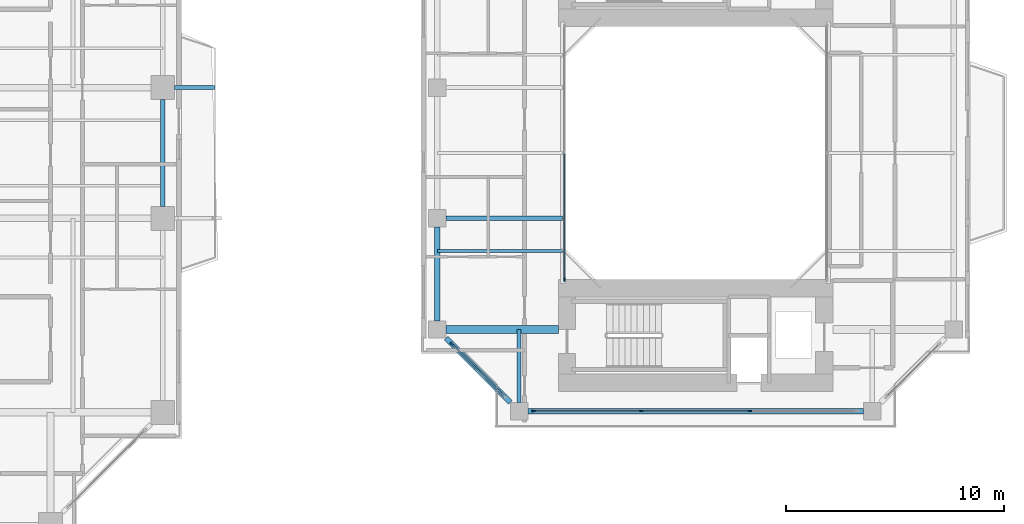
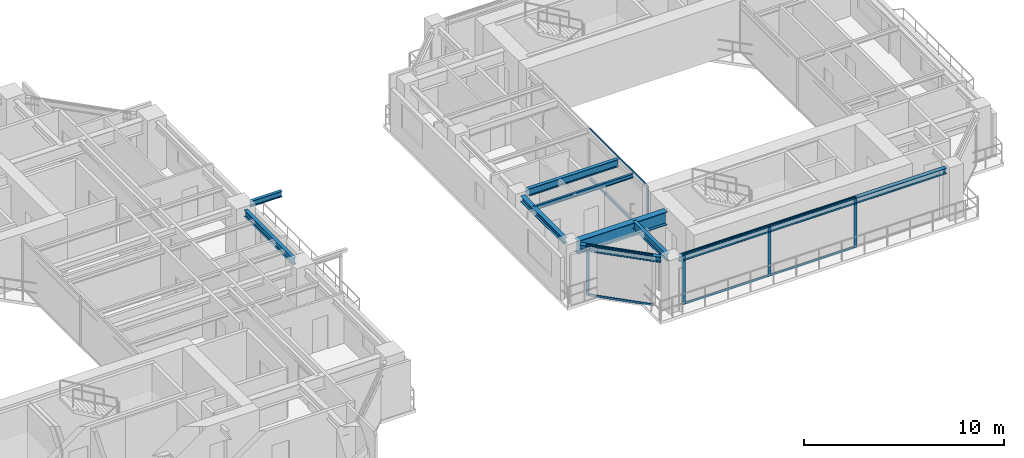
# One storey, part 8 of 24: 13 members, 9 beams, 3 elements without a shape of their own.
"""IFC4 building model written with IfcOpenShell, lengths in metres."""

import ifcopenshell
import ifcopenshell.guid

model = None  # the IFC model being written
_history = None  # IfcOwnerHistory: only IFC2X3 demands one
_inside = {}  # id of a spatial element -> (the spatial element, [elements in it])
_under = {}  # id of a project, library or spatial element -> (it, [spatial elements below it])
_declared = {}  # id of a project -> (the project, [libraries it declares])
_typed = {}  # id of a type object -> (the type object, [elements of that type])
_made_of = {}  # id of a material, layer set ... -> (it, [elements and type objects made of it])


def new_model(schema):
    """Start an empty IFC model of exactly this schema.

    Asked for "IFC4X3", IfcOpenShell would pick the latest addendum, in which some entities
    have other attributes; the version numbers below select the first issue.
    IFC2X3 requires an IfcOwnerHistory on every rooted entity: one is made here for all.
    """
    global model, _history
    if schema == "IFC4X3":
        model = ifcopenshell.file(schema_version=(4, 3, 0, 0))
    else:
        model = ifcopenshell.file(schema=schema)
    _inside.clear()
    _under.clear()
    _declared.clear()
    _typed.clear()
    _made_of.clear()
    _history = None
    if model.schema == "IFC2X3":
        org = make("IfcOrganization", Name="unknown")
        user = make(
            "IfcPersonAndOrganization",
            ThePerson=make("IfcPerson", FamilyName="unknown"),
            TheOrganization=org,
        )
        app = make(
            "IfcApplication",
            ApplicationDeveloper=org,
            Version="unknown",
            ApplicationFullName="unknown",
            ApplicationIdentifier="unknown",
        )
        _history = make(
            "IfcOwnerHistory",
            OwningUser=user,
            OwningApplication=app,
            ChangeAction="ADDED",
            CreationDate=0,
        )
    return model


def make(cls, **values):
    """One entity of the class cls with the attributes given. An attribute that is None is left unset."""
    return model.create_entity(
        cls, **{name: value for name, value in values.items() if value is not None}
    )


def rooted(cls, **values):
    """An entity with a GlobalId (a new one), such as an element, a storey or a relation."""
    return make(cls, GlobalId=ifcopenshell.guid.new(), OwnerHistory=_history, **values)


def si_unit(unit_type, name, prefix=None):
    """IfcSIUnit, for example si_unit("LENGTHUNIT", "METRE", prefix="MILLI")."""
    return make("IfcSIUnit", UnitType=unit_type, Prefix=prefix, Name=name)


def assignment(units):
    """IfcUnitAssignment: the units of a project."""
    return None if units is None else make("IfcUnitAssignment", Units=units)


def point(xyz):
    """IfcCartesianPoint."""
    return None if xyz is None else make("IfcCartesianPoint", Coordinates=xyz)


def direction(xyz):
    """IfcDirection."""
    return None if xyz is None else make("IfcDirection", DirectionRatios=xyz)


def frame(location, z_axis=None, x_axis=None):
    """IfcAxis2Placement3D, a coordinate frame: its origin and axes. An axis left out is left unset."""
    return make(
        "IfcAxis2Placement3D",
        Location=point(location),
        Axis=direction(z_axis),
        RefDirection=direction(x_axis),
    )


def frame_2d(location, x_axis=None):
    """IfcAxis2Placement2D, a coordinate frame in the plane: its origin and x axis."""
    return make(
        "IfcAxis2Placement2D", Location=point(location), RefDirection=direction(x_axis)
    )


def origin():
    """The frame at (0, 0, 0) with its axes left unset."""
    return frame((0.0, 0.0, 0.0))


def origin_2d():
    """The frame at (0, 0) in the plane with its x axis left unset."""
    return frame_2d((0.0, 0.0))


def place(relative_to, where):
    """IfcLocalPlacement: puts the frame where relative to a parent placement (None: the world)."""
    return make(
        "IfcLocalPlacement", PlacementRelTo=relative_to, RelativePlacement=where
    )


def context(
    kind, dimensions, precision=None, world=None, true_north=None, identifier=None
):
    """IfcGeometricRepresentationContext, for example the 3D "Model" context."""
    return make(
        "IfcGeometricRepresentationContext",
        ContextIdentifier=identifier,
        ContextType=kind,
        CoordinateSpaceDimension=dimensions,
        Precision=precision,
        WorldCoordinateSystem=world,
        TrueNorth=true_north,
    )


def subcontext(parent, identifier, kind, view, scale=None):
    """IfcGeometricRepresentationSubContext, for example "Body" below "Model"."""
    return make(
        "IfcGeometricRepresentationSubContext",
        ContextIdentifier=identifier,
        ContextType=kind,
        ParentContext=parent,
        TargetScale=scale,
        TargetView=view,
    )


def project(units=None, contexts=None):
    """IfcProject with its units and contexts."""
    return rooted(
        "IfcProject",
        Name="project",
        RepresentationContexts=contexts,
        UnitsInContext=assignment(units),
    )


def spatial(cls, under=None, at=None, **own):
    """A site, building, storey or space (cls), placed at a placement, below another one or the project."""
    s = rooted(cls, ObjectPlacement=at, **own)
    if under is not None:
        _under.setdefault(under.id(), (under, []))[1].append(s)
    return s


def profile(cls, at=None, kind="AREA", **sizes):
    """A parametric profile (cls). Its sizes go by their IFC names, for example OverallWidth=200.0."""
    return make(cls, ProfileType=kind, Position=at, **sizes)


def rectangle(**sizes):
    """IfcRectangleProfileDef."""
    return profile("IfcRectangleProfileDef", **sizes)


def i_section(**sizes):
    """IfcIShapeProfileDef."""
    return profile("IfcIShapeProfileDef", **sizes)


def extrude(swept, where, along, depth):
    """IfcExtrudedAreaSolid: the profile swept, set in the frame where, extruded along a direction by depth."""
    return make(
        "IfcExtrudedAreaSolid",
        SweptArea=swept,
        Position=where,
        ExtrudedDirection=direction(along),
        Depth=depth,
    )


def shape(context_of_items, identifier, shape_type, items):
    """IfcShapeRepresentation: the items that make up one representation, for example the "Body"."""
    return make(
        "IfcShapeRepresentation",
        ContextOfItems=context_of_items,
        RepresentationIdentifier=identifier,
        RepresentationType=shape_type,
        Items=items,
    )


def source(mapping_origin, context_of_items, identifier, shape_type, items):
    """IfcRepresentationMap: a shape defined once, which mapped items show again and again."""
    return make(
        "IfcRepresentationMap",
        MappingOrigin=mapping_origin,
        MappedRepresentation=shape(context_of_items, identifier, shape_type, items),
    )


def transform(
    local_origin,
    x_axis=None,
    y_axis=None,
    z_axis=None,
    scale=None,
    scale2=None,
    scale3=None,
    uniform=True,
):
    """IfcCartesianTransformationOperator3D, or its non-uniform kind. x_axis, y_axis, z_axis: its Axis1, 2, 3."""
    if uniform:
        return make(
            "IfcCartesianTransformationOperator3D",
            Axis1=direction(x_axis),
            Axis2=direction(y_axis),
            LocalOrigin=point(local_origin),
            Scale=scale,
            Axis3=direction(z_axis),
        )
    return make(
        "IfcCartesianTransformationOperator3DnonUniform",
        Axis1=direction(x_axis),
        Axis2=direction(y_axis),
        LocalOrigin=point(local_origin),
        Scale=scale,
        Axis3=direction(z_axis),
        Scale2=scale2,
        Scale3=scale3,
    )


def mapped(mapping_source, mapping_target):
    """IfcMappedItem: shows the shape of a source again, moved by a transform."""
    return make(
        "IfcMappedItem", MappingSource=mapping_source, MappingTarget=mapping_target
    )


def material(Name=None, Category=None):
    """IfcMaterial."""
    return make("IfcMaterial", Name=Name, Category=Category)


def layer(
    of_material, thickness, ventilated=None, Name=None, Category=None, Priority=None
):
    """IfcMaterialLayer: one layer of a wall or slab, of a material (None: an air gap)."""
    return make(
        "IfcMaterialLayer",
        Material=of_material,
        LayerThickness=thickness,
        IsVentilated=ventilated,
        Name=Name,
        Category=Category,
        Priority=Priority,
    )


def layer_set(layers, Name=None):
    """IfcMaterialLayerSet."""
    return make("IfcMaterialLayerSet", MaterialLayers=layers, LayerSetName=Name)


def material_profile(
    of_material, cross_section, Name=None, Category=None, Priority=None
):
    """IfcMaterialProfile: a cross section and its material."""
    return make(
        "IfcMaterialProfile",
        Name=Name,
        Material=of_material,
        Profile=cross_section,
        Priority=Priority,
        Category=Category,
    )


def profile_set(profiles, Name=None, composite=None):
    """IfcMaterialProfileSet."""
    return make(
        "IfcMaterialProfileSet",
        Name=Name,
        MaterialProfiles=profiles,
        CompositeProfile=composite,
    )


def made_of(thing, what):
    """Note that an element or type object is made of a material, layer set ...; save() writes the relation."""
    if what is not None:
        _made_of.setdefault(what.id(), (what, []))[1].append(thing)
    return thing


def type_object(cls, material=None, **own):
    """A type object (cls), such as IfcWallType, which elements share."""
    return made_of(rooted(cls, **own), material)


def element(
    cls,
    number,
    at=None,
    inside=None,
    cuts=None,
    type_object=None,
    material=None,
    context=None,
    identifier="Body",
    shape_type=None,
    held_by="IfcProductDefinitionShape",
    body=None,
    shapes=None,
    **own,
):
    """One element of the class cls, such as IfcWall. Its Tag is "e" and its number.

    at: its placement. inside: the storey or other place that contains it. cuts: it is an
    opening in that element (IfcRelVoidsElement). A single representation is given by context,
    identifier, shape_type and body (its items); several are given by shapes. held_by: the class
    of the entity that holds the representations. save() writes the other relations.
    """
    e = rooted(cls, Tag="e%d" % number, ObjectPlacement=at, **own)
    if body is not None:
        shapes = [shape(context, identifier, shape_type, body)]
    if shapes is not None:
        e.Representation = make(held_by, Representations=shapes)
    if inside is not None:
        _inside.setdefault(inside.id(), (inside, []))[1].append(e)
    if cuts is not None:
        rooted(
            "IfcRelVoidsElement", RelatingBuildingElement=cuts, RelatedOpeningElement=e
        )
    if type_object is not None:
        _typed.setdefault(type_object.id(), (type_object, []))[1].append(e)
    return made_of(e, material)


def aggregate(whole, parts):
    """IfcRelAggregates: a whole, such as a stair, and the parts it consists of."""
    return rooted("IfcRelAggregates", RelatingObject=whole, RelatedObjects=parts)


def save(model, path):
    """Write the relations noted so far, then the file.

    IfcRelAggregates (storeys below a building ...), IfcRelContainedInSpatialStructure (elements
    in a storey), IfcRelDefinesByType, IfcRelAssociatesMaterial and IfcRelDeclares: one each for
    every whole, place, type object, material and project.
    """
    for whole, parts in _under.values():
        aggregate(whole, parts)
    for where, things in _inside.values():
        rooted(
            "IfcRelContainedInSpatialStructure",
            RelatedElements=things,
            RelatingStructure=where,
        )
    for kind, things in _typed.values():
        rooted("IfcRelDefinesByType", RelatedObjects=things, RelatingType=kind)
    for what, things in _made_of.values():
        rooted("IfcRelAssociatesMaterial", RelatedObjects=things, RelatingMaterial=what)
    for by, libraries in _declared.values():
        rooted("IfcRelDeclares", RelatingContext=by, RelatedDefinitions=libraries)
    model.write(path)


model = new_model("IFC4")

# Units and contexts
model_context = context("Model", 3, precision=1e-05, world=origin(), true_north=direction((0.0, 1.0)))
body_context = subcontext(model_context, "Body", "Model", "MODEL_VIEW")
ifc_project = project(units=[si_unit("LENGTHUNIT", "METRE"), si_unit("AREAUNIT", "SQUARE_METRE"), si_unit("VOLUMEUNIT", "CUBIC_METRE"), si_unit("PLANEANGLEUNIT", "RADIAN"), si_unit("MASSUNIT", "GRAM", prefix="KILO"), si_unit("THERMODYNAMICTEMPERATUREUNIT", "KELVIN"), si_unit("POWERUNIT", "WATT")], contexts=[model_context])

# Site, building, storey
site_placement = place(None, origin())
site = spatial("IfcSite", under=ifc_project, at=site_placement, CompositionType="ELEMENT")
building_placement = place(site_placement, origin())
building = spatial("IfcBuilding", under=site, at=building_placement, Name="Qiaomeng Ring Towers", CompositionType="ELEMENT")
storey_placement = place(building_placement, frame((0.0, 0.0, 106.75)))
storey = spatial("IfcBuildingStorey", under=building, at=storey_placement, Name="L30", CompositionType="ELEMENT", Elevation=106.75)

# Beams
ifc_material_1 = material(Name="Steel Q355B", Category="steel")
ifc_material_profile_1 = material_profile(ifc_material_1, i_section(OverallWidth=0.25, OverallDepth=0.340087890625, WebThickness=0.009033203125, FlangeThickness=0.013916015625, FilletRadius=0.02001953125, at=origin_2d()), Name="HM 340x250x9x14")
ifc_profile_set_1 = profile_set([ifc_material_profile_1], Name="Steel Q355B")
beam_type_1 = type_object("IfcBeamType", Name="STR-BM-HM340", PredefinedType="SPANDREL", material=ifc_profile_set_1)
shared_shape_1 = source(origin(), body_context, "Body", "SweptSolid", [
    extrude(i_section(OverallWidth=0.25, OverallDepth=0.340087890625, WebThickness=0.009033203125, FlangeThickness=0.013916015625, FilletRadius=0.02001953125, at=origin_2d()), origin(), (0.0, 0.0, 1.0), 15.40185546875),
])
beam_1_placement = place(storey_placement, frame((52.799072265625, 11.14990234375, 2.89990234375), z_axis=(1.0, 0.0, 0.0), x_axis=(0.0, 1.0, 0.0)))
element("IfcBeam", 1, at=beam_1_placement, inside=storey, type_object=beam_type_1, Name="L30 beam STR-SP-L30-T2-S1-S2", PredefinedType="SPANDREL", context=body_context, shape_type="MappedRepresentation", body=[
    mapped(shared_shape_1, transform((0.0, 0.0, 0.0), x_axis=(1.0, 0.0, 0.0), y_axis=(0.0, 1.0, 0.0), z_axis=(0.0, 0.0, 1.0), scale=1.0)),
])
shared_shape_2 = source(origin(), body_context, "Body", "SweptSolid", [
    extrude(i_section(OverallWidth=0.25, OverallDepth=0.340087890625, WebThickness=0.009033203125, FlangeThickness=0.013916015625, FilletRadius=0.02001953125, at=origin_2d()), origin(), (0.0, 0.0, 1.0), 4.173828125),
])
beam_2_placement = place(storey_placement, frame((49.04931640625, 14.500732421875, 2.89990234375), z_axis=(0.707106781187, -0.707106781187, 0.0), x_axis=(0.707106781187, 0.707106781187, 0.0)))
element("IfcBeam", 2, at=beam_2_placement, inside=storey, type_object=beam_type_1, Name="L30 beam STR-SP-L30-T2-W1-S1", PredefinedType="SPANDREL", context=body_context, shape_type="MappedRepresentation", body=[
    mapped(shared_shape_2, transform((0.0, 0.0, 0.0), x_axis=(1.0, 0.0, 0.0), y_axis=(0.0, 1.0, 0.0), z_axis=(0.0, 0.0, 1.0), scale=1.0)),
])
shared_shape_3 = source(origin(), body_context, "Body", "SweptSolid", [
    extrude(i_section(OverallWidth=0.25, OverallDepth=0.340087890625, WebThickness=0.009033203125, FlangeThickness=0.013916015625, FilletRadius=0.02001953125, at=origin_2d()), origin(), (0.0, 0.0, 1.0), 4.302001953125),
])
beam_3_placement = place(storey_placement, frame((48.64990234375, 19.60107421875, 2.89990234375), z_axis=(0.0, -1.0, 0.0), x_axis=(1.0, 0.0, 0.0)))
element("IfcBeam", 3, at=beam_3_placement, inside=storey, type_object=beam_type_1, Name="L30 beam STR-SP-L30-T2-W2-W1", PredefinedType="SPANDREL", context=body_context, shape_type="MappedRepresentation", body=[
    mapped(shared_shape_3, transform((0.0, 0.0, 0.0), x_axis=(1.0, 0.0, 0.0), y_axis=(0.0, 1.0, 0.0), z_axis=(0.0, 0.0, 1.0), scale=1.0)),
])
ifc_material_2 = material(Name="Steel Q390GJC", Category="steel")
ifc_material_profile_2 = material_profile(ifc_material_2, i_section(OverallWidth=0.35009765625, OverallDepth=0.800048828125, WebThickness=0.01611328125, FlangeThickness=0.028076171875, at=origin_2d()), Name="WH 800x350x16x28")
ifc_profile_set_2 = profile_set([ifc_material_profile_2], Name="Steel Q390GJC")
beam_type_2 = type_object("IfcBeamType", Name="STR-BM-WH800", PredefinedType="BEAM", material=ifc_profile_set_2)
shared_shape_4 = source(origin(), body_context, "Body", "SweptSolid", [
    extrude(i_section(OverallWidth=0.35009765625, OverallDepth=0.800048828125, WebThickness=0.01611328125, FlangeThickness=0.028076171875, at=origin_2d()), origin(), (0.0, 0.0, 1.0), 5.15087890625),
])
beam_4_placement = place(storey_placement, frame((49.049072265625, 14.89990234375, 2.669921875), z_axis=(1.0, 0.0, 0.0), x_axis=(0.0, 1.0, 0.0)))
element("IfcBeam", 4, at=beam_4_placement, inside=storey, type_object=beam_type_2, Name="L30 beam STR-BM-L30-T2-RAD-W1", PredefinedType="BEAM", context=body_context, shape_type="MappedRepresentation", body=[
    mapped(shared_shape_4, transform((0.0, 0.0, 0.0), x_axis=(1.0, 0.0, 0.0), y_axis=(0.0, 1.0, 0.0), z_axis=(0.0, 0.0, 1.0), scale=1.0)),
])
ifc_material_profile_3 = material_profile(ifc_material_1, i_section(OverallWidth=0.199951171875, OverallDepth=0.449951171875, WebThickness=0.009033203125, FlangeThickness=0.013916015625, FilletRadius=0.01806640625, at=origin_2d()), Name="HN 450x200x9x14")
ifc_profile_set_3 = profile_set([ifc_material_profile_3], Name="Steel Q355B")
beam_type_3 = type_object("IfcBeamType", Name="STR-BM-HN450", PredefinedType="SPANDREL", material=ifc_profile_set_3)
shared_shape_5 = source(origin(), body_context, "Body", "SweptSolid", [
    extrude(i_section(OverallWidth=0.199951171875, OverallDepth=0.449951171875, WebThickness=0.009033203125, FlangeThickness=0.013916015625, FilletRadius=0.01806640625, at=origin_2d()), origin(), (0.0, 0.0, 1.0), 5.350830078125),
])
beam_5_placement = place(storey_placement, frame((49.049072265625, 20.0, 2.844970703125), z_axis=(1.0, 0.0, 0.0), x_axis=(0.0, 1.0, 0.0)))
element("IfcBeam", 5, at=beam_5_placement, inside=storey, type_object=beam_type_3, Name="L30 beam STR-BM-L30-T2-RAD-W2", PredefinedType="SPANDREL", context=body_context, shape_type="MappedRepresentation", body=[
    mapped(shared_shape_5, transform((0.0, 0.0, 0.0), x_axis=(1.0, 0.0, 0.0), y_axis=(0.0, 1.0, 0.0), z_axis=(0.0, 0.0, 1.0), scale=1.0)),
])
shared_shape_6 = source(origin(), body_context, "Body", "SweptSolid", [
    extrude(i_section(OverallWidth=0.199951171875, OverallDepth=0.449951171875, WebThickness=0.009033203125, FlangeThickness=0.013916015625, FilletRadius=0.01806640625, at=origin_2d()), origin(), (0.0, 0.0, 1.0), 3.350830078125),
])
beam_6_placement = place(storey_placement, frame((52.39990234375, 11.549072265625, 2.844970703125), z_axis=(0.0, 1.0, 0.0), x_axis=(-1.0, 0.0, 0.0)))
element("IfcBeam", 6, at=beam_6_placement, inside=storey, type_object=beam_type_3, Name="L30 beam STR-BM-L30-T2-RAD-S1", PredefinedType="SPANDREL", context=body_context, shape_type="MappedRepresentation", body=[
    mapped(shared_shape_6, transform((0.0, 0.0, 0.0), x_axis=(1.0, 0.0, 0.0), y_axis=(0.0, 1.0, 0.0), z_axis=(0.0, 0.0, 1.0), scale=1.0)),
])
ifc_material_profile_4 = material_profile(ifc_material_1, i_section(OverallWidth=0.125, OverallDepth=0.25, WebThickness=0.006103515625, FlangeThickness=0.009033203125, FilletRadius=0.011962890625, at=origin_2d()), Name="HN 250x125x6x9")
ifc_profile_set_4 = profile_set([ifc_material_profile_4], Name="Steel Q355B")
beam_type_4 = type_object("IfcBeamType", Name="STR-BM-HN250", PredefinedType="JOIST", material=ifc_profile_set_4)
shared_shape_7 = source(origin(), body_context, "Body", "SweptSolid", [
    extrude(i_section(OverallWidth=0.125, OverallDepth=0.25, WebThickness=0.006103515625, FlangeThickness=0.009033203125, FilletRadius=0.011962890625, at=origin_2d()), origin(), (0.0, 0.0, 1.0), 5.75),
])
beam_7_placement = place(storey_placement, frame((48.64990234375, 18.5, 2.945068359375), z_axis=(1.0, 0.0, 0.0), x_axis=(0.0, 1.0, 0.0)))
element("IfcBeam", 7, at=beam_7_placement, inside=storey, type_object=beam_type_4, Name="L30 beam STR-JST-L30-T2W-1", PredefinedType="JOIST", context=body_context, shape_type="MappedRepresentation", body=[
    mapped(shared_shape_7, transform((0.0, 0.0, 0.0), x_axis=(1.0, 0.0, 0.0), y_axis=(0.0, 1.0, 0.0), z_axis=(0.0, 0.0, 1.0), scale=1.0)),
])
ifc_material_profile_5 = material_profile(ifc_material_1, i_section(OverallWidth=0.199951171875, OverallDepth=0.39990234375, WebThickness=0.008056640625, FlangeThickness=0.012939453125, FilletRadius=0.01611328125, at=origin_2d()), Name="HN 400x200x8x13")
ifc_profile_set_5 = profile_set([ifc_material_profile_5], Name="Steel Q355B")
beam_type_5 = type_object("IfcBeamType", Name="STR-BM-HN400", PredefinedType="SPANDREL", material=ifc_profile_set_5)
shared_shape_8 = source(origin(), body_context, "Body", "SweptSolid", [
    extrude(i_section(OverallWidth=0.199951171875, OverallDepth=0.39990234375, WebThickness=0.008056640625, FlangeThickness=0.012939453125, FilletRadius=0.01611328125, at=origin_2d()), origin(), (0.0, 0.0, 1.0), 4.90185546875),
])
beam_8_placement = place(storey_placement, frame((36.050048828125, 20.549072265625, 2.8701171875), z_axis=(0.0, 1.0, 0.0), x_axis=(-1.0, 0.0, 0.0)))
element("IfcBeam", 8, at=beam_8_placement, inside=storey, type_object=beam_type_5, Name="L30 beam STR-SP-L30-T1-E2-E3", PredefinedType="SPANDREL", context=body_context, shape_type="MappedRepresentation", body=[
    mapped(shared_shape_8, transform((0.0, 0.0, 0.0), x_axis=(1.0, 0.0, 0.0), y_axis=(0.0, 1.0, 0.0), z_axis=(0.0, 0.0, 1.0), scale=1.0)),
])
ifc_material_profile_6 = material_profile(ifc_material_1, i_section(OverallWidth=0.175048828125, OverallDepth=0.35009765625, WebThickness=0.007080078125, FlangeThickness=0.010986328125, FilletRadius=0.013916015625, at=origin_2d()), Name="HN 350x175x7x11")
ifc_profile_set_6 = profile_set([ifc_material_profile_6], Name="Steel Q355B")
beam_type_6 = type_object("IfcBeamType", Name="STR-BM-HN350", PredefinedType="JOIST", material=ifc_profile_set_6)
shared_shape_9 = source(origin(), body_context, "Body", "SweptSolid", [
    extrude(i_section(OverallWidth=0.175048828125, OverallDepth=0.35009765625, WebThickness=0.007080078125, FlangeThickness=0.010986328125, FilletRadius=0.013916015625, at=origin_2d()), origin(), (0.0, 0.0, 1.0), 1.8408203125),
])
beam_9_placement = place(storey_placement, frame((36.59912109375, 26.0, 2.89501953125), z_axis=(1.0, 0.0, 0.0), x_axis=(0.0, 1.0, 0.0)))
element("IfcBeam", 9, at=beam_9_placement, inside=storey, type_object=beam_type_6, Name="L30 beam STR-BALBM-L30-E3", PredefinedType="JOIST", context=body_context, shape_type="MappedRepresentation", body=[
    mapped(shared_shape_9, transform((0.0, 0.0, 0.0), x_axis=(1.0, 0.0, 0.0), y_axis=(0.0, 1.0, 0.0), z_axis=(0.0, 0.0, 1.0), scale=1.0)),
])

# Curtain wall, members
ifc_material_3 = material(Name="Fluorocarbon dark-grey aluminium", Category="aluminium")
ifc_layer_1 = layer(ifc_material_3, 0.139892578125, Name="Fluorocarbon dark-grey aluminium")
ifc_layer_set_1 = layer_set([ifc_layer_1], Name="Fluorocarbon dark-grey aluminium")
curtain_wall_type_1 = type_object("IfcCurtainWallType", Name="ARC-CW-4", PredefinedType="NOTDEFINED", material=ifc_layer_set_1)
curtain_wall_1_placement = place(storey_placement, origin())
curtain_wall_1 = element("IfcCurtainWall", 10, at=curtain_wall_1_placement, inside=storey, type_object=curtain_wall_type_1, Name="L30 Curtain Wall CW4", PredefinedType="NOTDEFINED")
ifc_material_profile_7 = material_profile(ifc_material_3, rectangle(XDim=0.06494140625, YDim=0.159912109375, at=origin_2d()), Name="ALU MULL 65x160")
ifc_profile_set_7 = profile_set([ifc_material_profile_7], Name="Fluorocarbon dark-grey aluminium")
member_type_1 = type_object("IfcMemberType", Name="ARC-CWM-140", PredefinedType="MULLION", material=ifc_profile_set_7)
shared_shape_10 = source(origin(), body_context, "Body", "SweptSolid", [
    extrude(rectangle(XDim=0.06494140625, YDim=0.159912109375, at=origin_2d()), origin(), (0.0, 0.0, 1.0), 3.070068359375),
])
member_1_placement = place(storey_placement, frame((54.47998046875, 17.1826171875, 0.0), z_axis=(0.0, 0.0, 1.0), x_axis=(-1.0, 0.0, 0.0)))
member_1 = element("IfcMember", 11, at=member_1_placement, type_object=member_type_1, Name="CW4 mullion 1", PredefinedType="MULLION", context=body_context, shape_type="MappedRepresentation", body=[
    mapped(shared_shape_10, transform((0.0, 0.0, 0.0), x_axis=(1.0, 0.0, 0.0), y_axis=(0.0, 1.0, 0.0), z_axis=(0.0, 0.0, 1.0), scale=1.0)),
])
ifc_material_profile_8 = material_profile(ifc_material_3, rectangle(XDim=0.06494140625, YDim=0.1298828125, at=origin_2d()), Name="ALU TRAN 65x130")
ifc_profile_set_8 = profile_set([ifc_material_profile_8], Name="Fluorocarbon dark-grey aluminium")
member_type_2 = type_object("IfcMemberType", Name="ARC-CWT-120", PredefinedType="USERDEFINED", material=ifc_profile_set_8)
shared_shape_11 = source(origin(), body_context, "Body", "SweptSolid", [
    extrude(rectangle(XDim=0.06494140625, YDim=0.1298828125, at=origin_2d()), origin(), (0.0, 0.0, 1.0), 5.75244140625),
])
member_2_placement = place(storey_placement, frame((54.47998046875, 17.215087890625, 0.032470703125), z_axis=(0.0, 1.0, 0.0), x_axis=(-1.0, 0.0, 0.0)))
member_2 = element("IfcMember", 12, at=member_2_placement, type_object=member_type_2, Name="CW4 transom 1.1", ObjectType="TRANSOM", PredefinedType="USERDEFINED", context=body_context, shape_type="MappedRepresentation", body=[
    mapped(shared_shape_11, transform((0.0, 0.0, 0.0), x_axis=(1.0, 0.0, 0.0), y_axis=(0.0, 1.0, 0.0), z_axis=(0.0, 0.0, 1.0), scale=1.0)),
])
member_3_placement = place(storey_placement, frame((54.47998046875, 17.215087890625, 3.03759765625), z_axis=(0.0, 1.0, 0.0), x_axis=(-1.0, 0.0, 0.0)))
member_3 = element("IfcMember", 13, at=member_3_placement, type_object=member_type_2, Name="CW4 transom 1.2", ObjectType="TRANSOM", PredefinedType="USERDEFINED", context=body_context, shape_type="MappedRepresentation", body=[
    mapped(shared_shape_11, transform((0.0, 0.0, 0.0), x_axis=(1.0, 0.0, 0.0), y_axis=(0.0, 1.0, 0.0), z_axis=(0.0, 0.0, 1.0), scale=1.0)),
])
aggregate(curtain_wall_1, [member_1, member_2, member_3])

# Curtain wall, member
ifc_layer_2 = layer(ifc_material_3, 0.14990234375, Name="Fluorocarbon dark-grey aluminium")
ifc_layer_set_2 = layer_set([ifc_layer_2], Name="Fluorocarbon dark-grey aluminium")
curtain_wall_type_2 = type_object("IfcCurtainWallType", Name="ARC-CW-5", PredefinedType="NOTDEFINED", material=ifc_layer_set_2)
curtain_wall_2_placement = place(storey_placement, origin())
curtain_wall_2 = element("IfcCurtainWall", 14, at=curtain_wall_2_placement, inside=storey, type_object=curtain_wall_type_2, Name="L30 Curtain Wall CW5", PredefinedType="NOTDEFINED")
ifc_material_profile_9 = material_profile(ifc_material_3, rectangle(XDim=0.070068359375, YDim=0.179931640625, at=origin_2d()), Name="ALU MULL 70x180")
ifc_profile_set_9 = profile_set([ifc_material_profile_9], Name="Fluorocarbon dark-grey aluminium")
member_type_3 = type_object("IfcMemberType", Name="ARC-CWM-160", PredefinedType="MULLION", material=ifc_profile_set_9)
shared_shape_12 = source(origin(), body_context, "Body", "SweptSolid", [
    extrude(rectangle(XDim=0.070068359375, YDim=0.179931640625, at=origin_2d()), origin(), (0.0, 0.0, 1.0), 3.070068359375),
])
member_4_placement = place(storey_placement, frame((49.314697265625, 14.2353515625, 0.0), z_axis=(0.0, 0.0, 1.0), x_axis=(0.707106781187, 0.707106781187, 0.0)))
member_4 = element("IfcMember", 15, at=member_4_placement, type_object=member_type_3, Name="CW5 mullion 1", PredefinedType="MULLION", context=body_context, shape_type="MappedRepresentation", body=[
    mapped(shared_shape_12, transform((0.0, 0.0, 0.0), x_axis=(1.0, 0.0, 0.0), y_axis=(0.0, 1.0, 0.0), z_axis=(0.0, 0.0, 1.0), scale=1.0)),
])

# Curtain wall, members
curtain_wall_3_placement = place(storey_placement, origin())
curtain_wall_3 = element("IfcCurtainWall", 16, at=curtain_wall_3_placement, inside=storey, type_object=curtain_wall_type_2, Name="L30 Curtain Wall CW5", PredefinedType="NOTDEFINED")
member_5_placement = place(storey_placement, frame((53.074951171875, 11.14990234375, 0.0), z_axis=(0.0, 0.0, 1.0), x_axis=(0.0, 1.0, 0.0)))
member_5 = element("IfcMember", 17, at=member_5_placement, type_object=member_type_3, Name="CW5 mullion 1", PredefinedType="MULLION", context=body_context, shape_type="MappedRepresentation", body=[
    mapped(shared_shape_12, transform((0.0, 0.0, 0.0), x_axis=(1.0, 0.0, 0.0), y_axis=(0.0, 1.0, 0.0), z_axis=(0.0, 0.0, 1.0), scale=1.0)),
])
member_6_placement = place(storey_placement, frame((58.013427734375, 11.14990234375, 0.0), z_axis=(0.0, 0.0, 1.0), x_axis=(0.0, 1.0, 0.0)))
member_6 = element("IfcMember", 18, at=member_6_placement, type_object=member_type_3, Name="CW5 mullion 2", PredefinedType="MULLION", context=body_context, shape_type="MappedRepresentation", body=[
    mapped(shared_shape_12, transform((0.0, 0.0, 0.0), x_axis=(1.0, 0.0, 0.0), y_axis=(0.0, 1.0, 0.0), z_axis=(0.0, 0.0, 1.0), scale=1.0)),
])
member_7_placement = place(storey_placement, frame((62.986572265625, 11.14990234375, 0.0), z_axis=(0.0, 0.0, 1.0), x_axis=(0.0, 1.0, 0.0)))
member_7 = element("IfcMember", 19, at=member_7_placement, type_object=member_type_3, Name="CW5 mullion 3", PredefinedType="MULLION", context=body_context, shape_type="MappedRepresentation", body=[
    mapped(shared_shape_12, transform((0.0, 0.0, 0.0), x_axis=(1.0, 0.0, 0.0), y_axis=(0.0, 1.0, 0.0), z_axis=(0.0, 0.0, 1.0), scale=1.0)),
])
shared_shape_13 = source(origin(), body_context, "Body", "SweptSolid", [
    extrude(rectangle(XDim=0.06494140625, YDim=0.1298828125, at=origin_2d()), origin(), (0.0, 0.0, 1.0), 4.8681640625),
])
member_8_placement = place(storey_placement, frame((53.110107421875, 11.14990234375, 0.032470703125), z_axis=(1.0, 0.0, 0.0), x_axis=(0.0, 1.0, 0.0)))
member_8 = element("IfcMember", 20, at=member_8_placement, type_object=member_type_2, Name="CW5 transom 1.1", ObjectType="TRANSOM", PredefinedType="USERDEFINED", context=body_context, shape_type="MappedRepresentation", body=[
    mapped(shared_shape_13, transform((0.0, 0.0, 0.0), x_axis=(1.0, 0.0, 0.0), y_axis=(0.0, 1.0, 0.0), z_axis=(0.0, 0.0, 1.0), scale=1.0)),
])
member_9_placement = place(storey_placement, frame((53.110107421875, 11.14990234375, 3.03759765625), z_axis=(1.0, 0.0, 0.0), x_axis=(0.0, 1.0, 0.0)))
member_9 = element("IfcMember", 21, at=member_9_placement, type_object=member_type_2, Name="CW5 transom 1.2", ObjectType="TRANSOM", PredefinedType="USERDEFINED", context=body_context, shape_type="MappedRepresentation", body=[
    mapped(shared_shape_13, transform((0.0, 0.0, 0.0), x_axis=(1.0, 0.0, 0.0), y_axis=(0.0, 1.0, 0.0), z_axis=(0.0, 0.0, 1.0), scale=1.0)),
])
shared_shape_14 = source(origin(), body_context, "Body", "SweptSolid", [
    extrude(rectangle(XDim=0.06494140625, YDim=0.1298828125, at=origin_2d()), origin(), (0.0, 0.0, 1.0), 4.9033203125),
])
member_10_placement = place(storey_placement, frame((58.04833984375, 11.14990234375, 0.032470703125), z_axis=(1.0, 0.0, 0.0), x_axis=(0.0, 1.0, 0.0)))
member_10 = element("IfcMember", 22, at=member_10_placement, type_object=member_type_2, Name="CW5 transom 2.1", ObjectType="TRANSOM", PredefinedType="USERDEFINED", context=body_context, shape_type="MappedRepresentation", body=[
    mapped(shared_shape_14, transform((0.0, 0.0, 0.0), x_axis=(1.0, 0.0, 0.0), y_axis=(0.0, 1.0, 0.0), z_axis=(0.0, 0.0, 1.0), scale=1.0)),
])
member_11_placement = place(storey_placement, frame((58.04833984375, 11.14990234375, 3.03759765625), z_axis=(1.0, 0.0, 0.0), x_axis=(0.0, 1.0, 0.0)))
member_11 = element("IfcMember", 23, at=member_11_placement, type_object=member_type_2, Name="CW5 transom 2.2", ObjectType="TRANSOM", PredefinedType="USERDEFINED", context=body_context, shape_type="MappedRepresentation", body=[
    mapped(shared_shape_14, transform((0.0, 0.0, 0.0), x_axis=(1.0, 0.0, 0.0), y_axis=(0.0, 1.0, 0.0), z_axis=(0.0, 0.0, 1.0), scale=1.0)),
])
aggregate(curtain_wall_3, [member_5, member_6, member_7, member_8, member_9, member_10, member_11])

# Member
shared_shape_15 = source(origin(), body_context, "Body", "SweptSolid", [
    extrude(rectangle(XDim=0.06494140625, YDim=0.1298828125, at=origin_2d()), origin(), (0.0, 0.0, 1.0), 3.352783203125),
])
member_12_placement = place(storey_placement, frame((49.339599609375, 14.21044921875, 0.032470703125), z_axis=(0.707106781187, -0.707106781187, 0.0), x_axis=(0.707106781187, 0.707106781187, 0.0)))
member_12 = element("IfcMember", 24, at=member_12_placement, type_object=member_type_2, Name="CW5 transom 1.1", ObjectType="TRANSOM", PredefinedType="USERDEFINED", context=body_context, shape_type="MappedRepresentation", body=[
    mapped(shared_shape_15, transform((0.0, 0.0, 0.0), x_axis=(1.0, 0.0, 0.0), y_axis=(0.0, 1.0, 0.0), z_axis=(0.0, 0.0, 1.0), scale=1.0)),
])

member_13_placement = place(storey_placement, frame((49.339599609375, 14.21044921875, 3.03759765625), z_axis=(0.707106781187, -0.707106781187, 0.0), x_axis=(0.707106781187, 0.707106781187, 0.0)))
member_13 = element("IfcMember", 25, at=member_13_placement, type_object=member_type_2, Name="CW5 transom 1.2", ObjectType="TRANSOM", PredefinedType="USERDEFINED", context=body_context, shape_type="MappedRepresentation", body=[
    mapped(shared_shape_15, transform((0.0, 0.0, 0.0), x_axis=(1.0, 0.0, 0.0), y_axis=(0.0, 1.0, 0.0), z_axis=(0.0, 0.0, 1.0), scale=1.0)),
])

aggregate(curtain_wall_2, [member_4, member_12, member_13])

save(model, "model.ifc")
